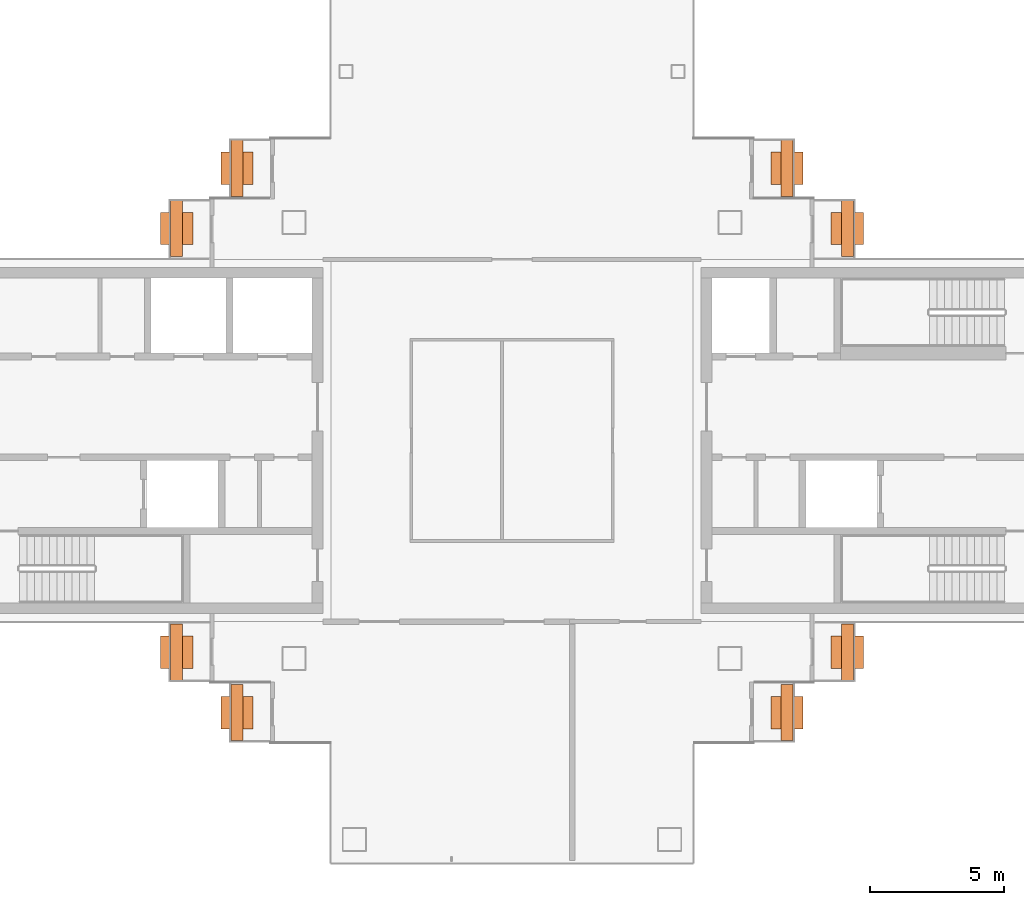
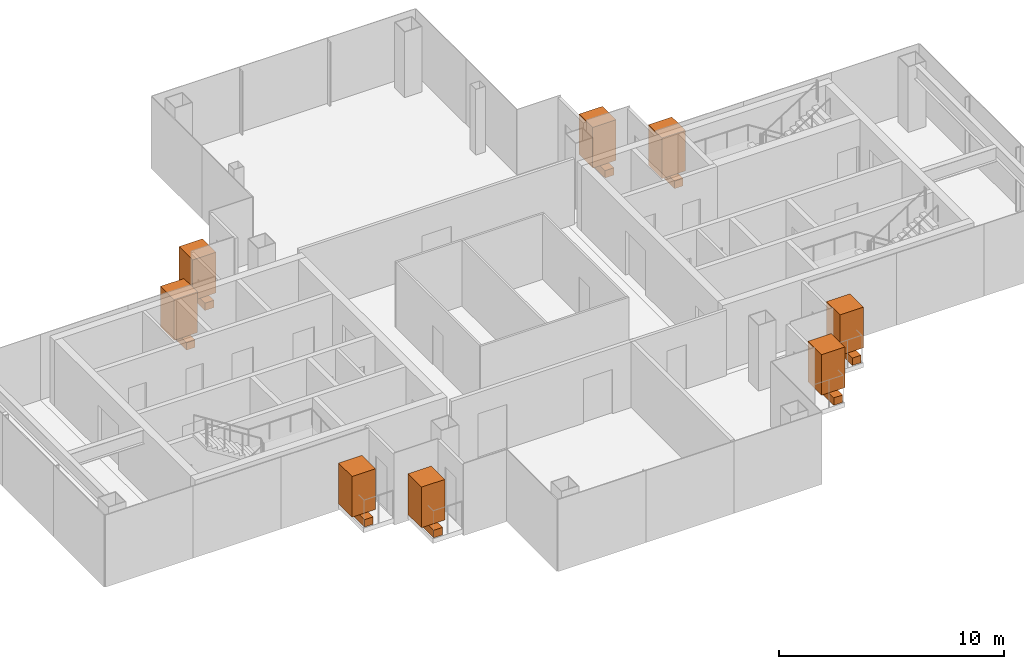
# One storey, part 16 of 16: 8 geographic elements, 8 proxies.
"""IFC4 building model written with IfcOpenShell, lengths in metres."""

from ifc_helpers import new_model, si_unit, direction, frame, origin, origin_2d, place, context, subcontext, project, spatial, rectangle, extrude, material, type_object, element, save


model = new_model("IFC4")

# Units and contexts
model_context = context("Model", 3, precision=1e-05, world=origin(), true_north=direction((0.0, 1.0)))
body_context = subcontext(model_context, "Body", "Model", "MODEL_VIEW")
ifc_project = project(units=[si_unit("LENGTHUNIT", "METRE"), si_unit("AREAUNIT", "SQUARE_METRE"), si_unit("VOLUMEUNIT", "CUBIC_METRE"), si_unit("PLANEANGLEUNIT", "RADIAN"), si_unit("MASSUNIT", "GRAM", prefix="KILO")], contexts=[model_context])

# Site, building, storey
site_placement = place(None, origin())
site = spatial("IfcSite", under=ifc_project, at=site_placement, CompositionType="ELEMENT")
building_placement = place(site_placement, origin())
building = spatial("IfcBuilding", under=site, at=building_placement, Name="Shamsa Quay Exchange Towers", CompositionType="ELEMENT")
storey_placement = place(building_placement, frame((0.0, 0.0, 246.0)))
storey = spatial("IfcBuildingStorey", under=building, at=storey_placement, Name="L59", CompositionType="ELEMENT", Elevation=246.0)

# Proxies
ifc_material_1 = material(Name="Reinforced concrete C30/37, black glass-fibre faced", Category="concrete")
building_element_proxy_type = type_object("IfcBuildingElementProxyType", Name="BALCONY PLANTER", PredefinedType="USERDEFINED", material=ifc_material_1)
for number, where, z_axis, x_axis, name in (
    (1, (23.5048828125, 10.14404296875, 0.0), (0.0, 0.0, 1.0), (0.0, -1.0, 0.0), "PLANTER T2-PKEN L59"),
    (2, (21.2548828125, 7.89404296875, 0.0), (0.0, 0.0, 1.0), (0.0, -1.0, 0.0), "PLANTER T2-PKEN L59"),
    (3, (43.9951171875, 10.14404296875, 0.0), (0.0, 0.0, 1.0), (0.0, 1.0, 0.0), "PLANTER T2-PKES L59"),
    (4, (46.2451171875, 7.89404296875, 0.0), (0.0, 0.0, 1.0), (0.0, 1.0, 0.0), "PLANTER T2-PKES L59"),
    (5, (21.2548828125, -7.89404296875, 0.0), (0.0, 0.0, 1.0), (0.0, -1.0, 0.0), "PLANTER T2-PKWN L59"),
    (6, (23.5048828125, -10.14404296875, 0.0), (0.0, 0.0, 1.0), (0.0, -1.0, 0.0), "PLANTER T2-PKWN L59"),
    (7, (43.9951171875, -10.14404296875, 0.0), (0.0, 0.0, 1.0), (0.0, 1.0, 0.0), "PLANTER T2-PKWS L59"),
    (8, (46.2451171875, -7.89404296875, 0.0), (0.0, 0.0, 1.0), (0.0, 1.0, 0.0), "PLANTER T2-PKWS L59"),
):
    element("IfcBuildingElementProxy", number, at=place(storey_placement, frame(where, z_axis=z_axis, x_axis=x_axis)), inside=storey, type_object=building_element_proxy_type, Name=name, ObjectType="PLANTER", PredefinedType="USERDEFINED", context=body_context, shape_type="SweptSolid", body=[
        extrude(rectangle(XDim=2.092041015625, YDim=0.449951171875, at=origin_2d()), origin(), (0.0, 0.0, 1.0), 0.39990234375),
    ])

# Geographic elements
ifc_material_2 = material(Name="Planting")
geographic_element_type = type_object("IfcGeographicElementType", Name="BALCONY TREE", PredefinedType="USERDEFINED", material=ifc_material_2)
for number, where, z_axis, x_axis, name in (
    (9, (23.5048828125, 10.14404296875, 0.39990234375), (0.0, 0.0, 1.0), (0.0, -1.0, 0.0), "TREE T2-PKEN L59"),
    (10, (21.2548828125, 7.89404296875, 0.39990234375), (0.0, 0.0, 1.0), (0.0, -1.0, 0.0), "TREE T2-PKEN L59"),
    (11, (43.9951171875, 10.14404296875, 0.39990234375), (0.0, 0.0, 1.0), (0.0, 1.0, 0.0), "TREE T2-PKES L59"),
    (12, (46.2451171875, 7.89404296875, 0.39990234375), (0.0, 0.0, 1.0), (0.0, 1.0, 0.0), "TREE T2-PKES L59"),
    (13, (21.2548828125, -7.89404296875, 0.39990234375), (0.0, 0.0, 1.0), (0.0, -1.0, 0.0), "TREE T2-PKWN L59"),
    (14, (23.5048828125, -10.14404296875, 0.39990234375), (0.0, 0.0, 1.0), (0.0, -1.0, 0.0), "TREE T2-PKWN L59"),
    (15, (43.9951171875, -10.14404296875, 0.39990234375), (0.0, 0.0, 1.0), (0.0, 1.0, 0.0), "TREE T2-PKWS L59"),
    (16, (46.2451171875, -7.89404296875, 0.39990234375), (0.0, 0.0, 1.0), (0.0, 1.0, 0.0), "TREE T2-PKWS L59"),
):
    element("IfcGeographicElement", number, at=place(storey_placement, frame(where, z_axis=z_axis, x_axis=x_axis)), inside=storey, type_object=geographic_element_type, Name=name, ObjectType="TREE", PredefinedType="USERDEFINED", context=body_context, shape_type="SweptSolid", body=[
        extrude(rectangle(XDim=1.199951171875, YDim=1.199951171875, at=origin_2d()), origin(), (0.0, 0.0, 1.0), 2.199951171875),
    ])

save(model, "model.ifc")
